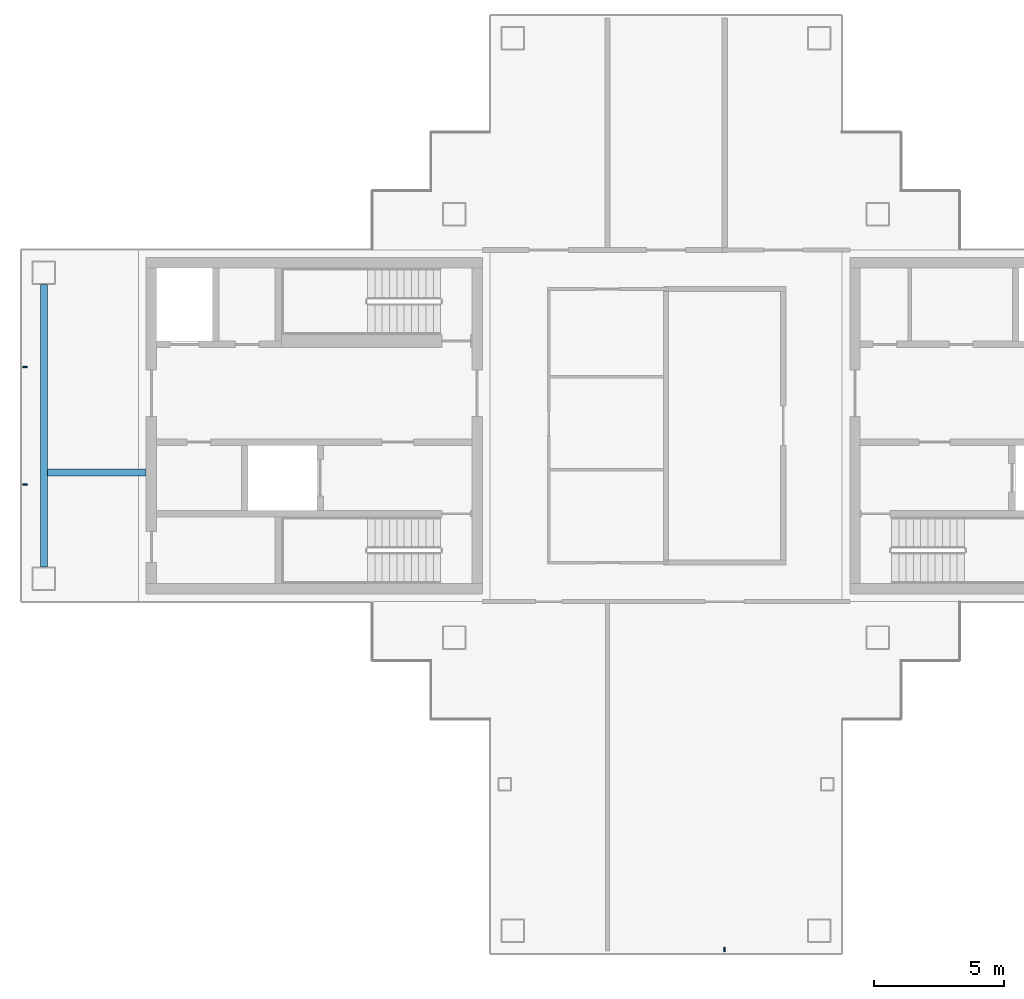
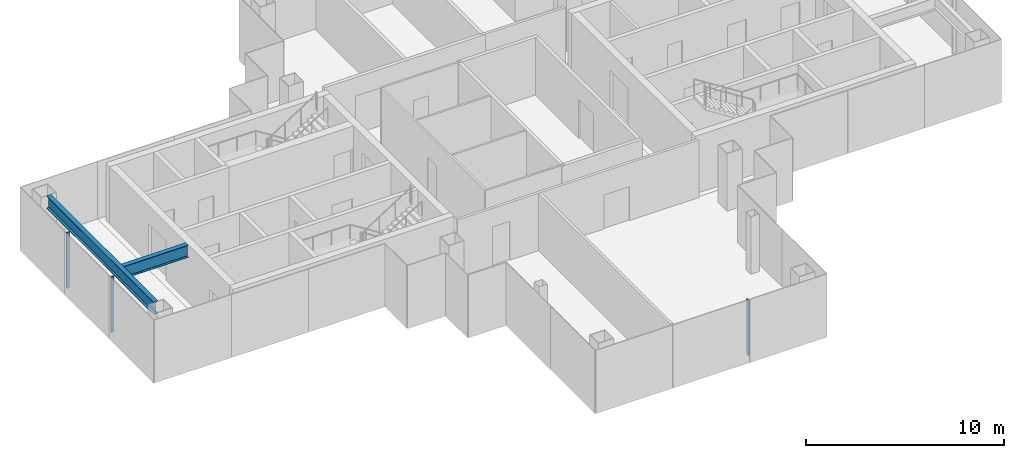
# One storey, part 3 of 16: 3 members, 2 beams, 2 elements without a shape of their own.
"""IFC4 building model written with IfcOpenShell, lengths in metres."""

from ifc_helpers import new_model, si_unit, direction, frame, origin, origin_2d, place, context, subcontext, project, spatial, rectangle, i_section, extrude, material, layer, layer_set, material_profile, profile_set, type_object, element, aggregate, save


model = new_model("IFC4")

# Units and contexts
model_context = context("Model", 3, precision=1e-05, world=origin(), true_north=direction((0.0, 1.0)))
body_context = subcontext(model_context, "Body", "Model", "MODEL_VIEW")
ifc_project = project(units=[si_unit("LENGTHUNIT", "METRE"), si_unit("AREAUNIT", "SQUARE_METRE"), si_unit("VOLUMEUNIT", "CUBIC_METRE"), si_unit("PLANEANGLEUNIT", "RADIAN"), si_unit("MASSUNIT", "GRAM", prefix="KILO")], contexts=[model_context])

# Site, building, storey
site_placement = place(None, origin())
site = spatial("IfcSite", under=ifc_project, at=site_placement, CompositionType="ELEMENT")
building_placement = place(site_placement, origin())
building = spatial("IfcBuilding", under=site, at=building_placement, Name="Shamsa Quay Exchange Towers", CompositionType="ELEMENT")
storey_placement = place(building_placement, frame((0.0, 0.0, 242.10009765625)))
storey = spatial("IfcBuildingStorey", under=building, at=storey_placement, Name="L58", CompositionType="ELEMENT", Elevation=242.10009765625)

# Curtain wall, member
ifc_material_1 = material(Name="Aluminium EN AW-6063 T6, black anodised", Category="aluminium")
ifc_layer = layer(ifc_material_1, 0.280029296875)
ifc_layer_set = layer_set([ifc_layer], Name="CW-1 UNITISED VISION GLASS")
curtain_wall_type = type_object("IfcCurtainWallType", Name="CW-1 UNITISED VISION GLASS", PredefinedType="NOTDEFINED", material=ifc_layer_set)
curtain_wall_1_placement = place(storey_placement, origin())
curtain_wall_1 = element("IfcCurtainWall", 1, at=curtain_wall_1_placement, inside=storey, type_object=curtain_wall_type, Name="CW1 T1-END-V- L58", PredefinedType="NOTDEFINED")
ifc_material_profile_1 = material_profile(ifc_material_1, rectangle(XDim=0.179931640625, YDim=0.06005859375, at=origin_2d()), Name="MU60x180")
ifc_profile_set_1 = profile_set([ifc_material_profile_1], Name="Aluminium EN AW-6063 T6, black anodised")
member_type = type_object("IfcMemberType", Name="CW1 MULLION 60x180", PredefinedType="MULLION", material=ifc_profile_set_1)
member_1_placement = place(storey_placement, frame((-31.5, -20.10009765625, 0.0), z_axis=(0.0, 0.0, 1.0), x_axis=(0.0, 1.0, 0.0)))
member_1 = element("IfcMember", 2, at=member_1_placement, type_object=member_type, Name="CW1 mullion", PredefinedType="MULLION", context=body_context, shape_type="SweptSolid", body=[
    extrude(rectangle(XDim=0.179931640625, YDim=0.06005859375, at=origin_2d()), origin(), (0.0, 0.0, 1.0), 3.449951171875),
])
aggregate(curtain_wall_1, [member_1])

# Curtain wall, members
curtain_wall_2_placement = place(storey_placement, origin())
curtain_wall_2 = element("IfcCurtainWall", 3, at=curtain_wall_2_placement, inside=storey, type_object=curtain_wall_type, Name="CW1 T1-END-U- L58", PredefinedType="NOTDEFINED")
member_2_placement = place(storey_placement, frame((-58.35009765625, 2.25, 0.0)))
member_2 = element("IfcMember", 4, at=member_2_placement, type_object=member_type, Name="CW1 mullion", PredefinedType="MULLION", context=body_context, shape_type="SweptSolid", body=[
    extrude(rectangle(XDim=0.179931640625, YDim=0.06005859375, at=origin_2d()), origin(), (0.0, 0.0, 1.0), 3.449951171875),
])
member_3_placement = place(storey_placement, frame((-58.35009765625, -2.25, 0.0)))
member_3 = element("IfcMember", 5, at=member_3_placement, type_object=member_type, Name="CW1 mullion", PredefinedType="MULLION", context=body_context, shape_type="SweptSolid", body=[
    extrude(rectangle(XDim=0.179931640625, YDim=0.06005859375, at=origin_2d()), origin(), (0.0, 0.0, 1.0), 3.449951171875),
])
aggregate(curtain_wall_2, [member_2, member_3])

# Beams
ifc_material_2 = material(Name="Steel S355", Category="steel")
ifc_material_profile_2 = material_profile(ifc_material_2, i_section(OverallWidth=0.26611328125, OverallDepth=0.7578125, WebThickness=0.013916015625, FlangeThickness=0.019287109375, at=origin_2d()), Name="W30x108")
ifc_profile_set_2 = profile_set([ifc_material_profile_2], Name="Steel S355")
beam_type = type_object("IfcBeamType", Name="End-zone beam W30x108", PredefinedType="BEAM", material=ifc_profile_set_2)
beam_1_placement = place(storey_placement, frame((-57.625, -5.425048828125, 3.171142578125), z_axis=(0.0, 1.0, 0.0), x_axis=(-1.0, 0.0, 0.0)))
element("IfcBeam", 6, at=beam_1_placement, inside=storey, type_object=beam_type, Name="End beam T1 U- end zone L58", PredefinedType="BEAM", context=body_context, shape_type="SweptSolid", body=[
    extrude(i_section(OverallWidth=0.26611328125, OverallDepth=0.7578125, WebThickness=0.013916015625, FlangeThickness=0.019287109375, at=origin_2d()), origin(), (0.0, 0.0, 1.0), 10.85009765625),
])
beam_2_placement = place(storey_placement, frame((-53.699951171875, -1.800048828125, 3.171142578125), z_axis=(-1.0, 0.0, 0.0), x_axis=(0.0, -1.0, 0.0)))
element("IfcBeam", 7, at=beam_2_placement, inside=storey, type_object=beam_type, Name="Spine beam T1 U- end zone L58", PredefinedType="BEAM", context=body_context, shape_type="SweptSolid", body=[
    extrude(i_section(OverallWidth=0.26611328125, OverallDepth=0.7578125, WebThickness=0.013916015625, FlangeThickness=0.019287109375, at=origin_2d()), origin(), (0.0, 0.0, 1.0), 3.7919921875),
])

save(model, "model.ifc")
